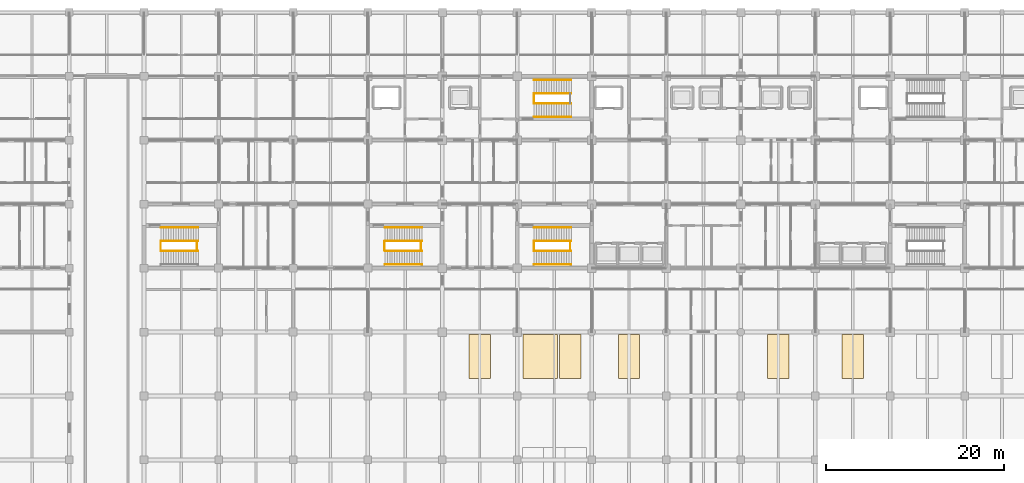
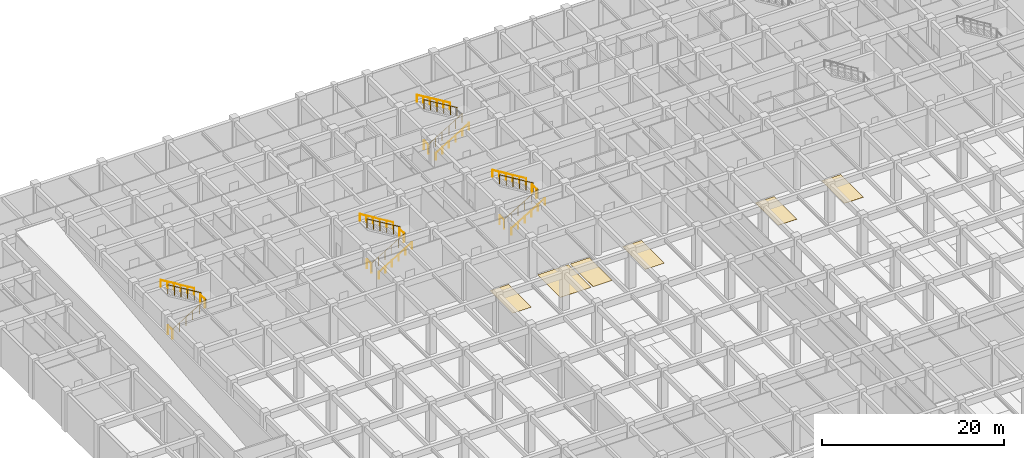
# One storey, part 44 of 48: 22 railings, 6 coverings.
"""IFC4 building model written with IfcOpenShell, lengths in metres."""

from ifc_helpers import new_model, si_unit, direction, frame, origin, origin_2d, place, context, subcontext, project, spatial, polyline, circle, outline, extrude, material, layer, layer_set, type_object, element, save


model = new_model("IFC4")

# Units and contexts
model_context = context("Model", 3, precision=1e-05, world=origin(), true_north=direction((0.0, 1.0)))
body_context = subcontext(model_context, "Body", "Model", "MODEL_VIEW")
ifc_project = project(units=[si_unit("LENGTHUNIT", "METRE"), si_unit("AREAUNIT", "SQUARE_METRE"), si_unit("VOLUMEUNIT", "CUBIC_METRE"), si_unit("PLANEANGLEUNIT", "RADIAN"), si_unit("MASSUNIT", "GRAM", prefix="KILO")], contexts=[model_context])

# Site, building, storey
site_placement = place(None, origin())
site = spatial("IfcSite", under=ifc_project, at=site_placement, CompositionType="ELEMENT")
building_placement = place(site_placement, origin())
building = spatial("IfcBuilding", under=site, at=building_placement, Name="Chengyuan Square Courthouse", CompositionType="ELEMENT")
storey_placement = place(building_placement, frame((0.0, 0.0, -5.39990234375)))
storey = spatial("IfcBuildingStorey", under=building, at=storey_placement, Name="B01", CompositionType="ELEMENT", Elevation=-5.39990234375)

# Coverings
ifc_material_1 = material(Name="Thermoplastic Parking Bay Marking Paint")
ifc_layer_1 = layer(ifc_material_1, 0.010009765625)
ifc_layer_set_1 = layer_set([ifc_layer_1], Name="Thermoplastic Parking Bay Marking Paint")
covering_type_1 = type_object("IfcCoveringType", Name="PKB-01", PredefinedType="FLOORING", material=ifc_layer_set_1)
covering_1_placement = place(storey_placement, origin())
element("IfcCovering", 1, at=covering_1_placement, inside=storey, type_object=covering_type_1, Name="Parking Bay Marking B01-P137", PredefinedType="FLOORING", context=body_context, shape_type="SweptSolid", body=[
    extrude(outline(polyline([(53.39990234375, 73.949951171875), (55.800048828125, 73.949951171875), (55.800048828125, 78.949951171875), (53.39990234375, 78.949951171875), (53.39990234375, 73.949951171875)])), origin(), (0.0, 0.0, 1.0), 0.010009765625),
])
covering_2_placement = place(storey_placement, origin())
element("IfcCovering", 2, at=covering_2_placement, inside=storey, type_object=covering_type_1, Name="Parking Bay Marking B01-P138", PredefinedType="FLOORING", context=body_context, shape_type="SweptSolid", body=[
    extrude(outline(polyline([(63.60009765625, 73.949951171875), (66.0, 73.949951171875), (66.0, 78.949951171875), (63.60009765625, 78.949951171875), (63.60009765625, 73.949951171875)])), origin(), (0.0, 0.0, 1.0), 0.010009765625),
])
covering_3_placement = place(storey_placement, origin())
element("IfcCovering", 3, at=covering_3_placement, inside=storey, type_object=covering_type_1, Name="Parking Bay Marking B01-P139", PredefinedType="FLOORING", context=body_context, shape_type="SweptSolid", body=[
    extrude(outline(polyline([(70.199951171875, 73.949951171875), (72.60009765625, 73.949951171875), (72.60009765625, 78.949951171875), (70.199951171875, 78.949951171875), (70.199951171875, 73.949951171875)])), origin(), (0.0, 0.0, 1.0), 0.010009765625),
])
covering_4_placement = place(storey_placement, origin())
element("IfcCovering", 4, at=covering_4_placement, inside=storey, type_object=covering_type_1, Name="Parking Bay Marking B01-P158", PredefinedType="FLOORING", context=body_context, shape_type="SweptSolid", body=[
    extrude(outline(polyline([(87.0, 73.949951171875), (89.39990234375, 73.949951171875), (89.39990234375, 78.949951171875), (87.0, 78.949951171875), (87.0, 73.949951171875)])), origin(), (0.0, 0.0, 1.0), 0.010009765625),
])
covering_5_placement = place(storey_placement, origin())
element("IfcCovering", 5, at=covering_5_placement, inside=storey, type_object=covering_type_1, Name="Parking Bay Marking B01-P159", PredefinedType="FLOORING", context=body_context, shape_type="SweptSolid", body=[
    extrude(outline(polyline([(95.39990234375, 73.949951171875), (97.800048828125, 73.949951171875), (97.800048828125, 78.949951171875), (95.39990234375, 78.949951171875), (95.39990234375, 73.949951171875)])), origin(), (0.0, 0.0, 1.0), 0.010009765625),
])
ifc_material_2 = material(Name="Thermoplastic Accessible Parking Bay Marking Paint")
ifc_layer_2 = layer(ifc_material_2, 0.010009765625)
ifc_layer_set_2 = layer_set([ifc_layer_2], Name="Thermoplastic Accessible Parking Bay Marking Paint")
covering_type_2 = type_object("IfcCoveringType", Name="PKB-02", PredefinedType="FLOORING", material=ifc_layer_set_2)
covering_6_placement = place(storey_placement, origin())
element("IfcCovering", 6, at=covering_6_placement, inside=storey, type_object=covering_type_2, Name="Accessible Parking Bay Marking B01-AP08", PredefinedType="FLOORING", context=body_context, shape_type="SweptSolid", body=[
    extrude(outline(polyline([(59.449951171875, 73.949951171875), (63.35009765625, 73.949951171875), (63.35009765625, 78.949951171875), (59.449951171875, 78.949951171875), (59.449951171875, 73.949951171875)])), origin(), (0.0, 0.0, 1.0), 0.010009765625),
])

# Railings
ifc_material_3 = material(Name="Tempered Glass and Timber Top-Rail Balustrade", Category="wood")
railing_type_1 = type_object("IfcRailingType", Name="RL-02", PredefinedType="BALUSTRADE", material=ifc_material_3)
railing_1_placement = place(storey_placement, frame((60.68994140625, 105.0, 0.0)))
element("IfcRailing", 7, at=railing_1_placement, inside=storey, type_object=railing_type_1, Name="Stair Floor Slot Guard ST-1 B01", PredefinedType="BALUSTRADE", context=body_context, shape_type="SweptSolid", body=[
    extrude(circle(Radius=0.02392578125, at=origin_2d()), frame((0.0, 0.0, 1.17578125), z_axis=(0.0, 1.0, 0.0), x_axis=(-1.0, 0.0, 0.0)), (0.0, 0.0, 1.0), 1.0),
    extrude(circle(Radius=0.02099609375, at=origin_2d()), origin(), (0.0, 0.0, 1.0), 1.15185546875),
    extrude(circle(Radius=0.02099609375, at=origin_2d()), frame((0.0, 1.0, 0.0)), (0.0, 0.0, 1.0), 1.15185546875),
])
railing_2_placement = place(storey_placement, frame((60.7099609375, 104.949951171875, 0.168701171875)))
element("IfcRailing", 8, at=railing_2_placement, inside=storey, type_object=railing_type_1, Name="Stair Flight 1 Guard ST-1-B01", PredefinedType="BALUSTRADE", context=body_context, shape_type="SweptSolid", body=[
    extrude(circle(Radius=0.02392578125, at=origin_2d()), frame((0.0, 0.0, 1.17578125), z_axis=(0.856476492594, 0.0, 0.516186030065), x_axis=(0.0, 1.0, 0.0)), (0.0, 0.0, 1.0), 4.90380859375),
    extrude(circle(Radius=0.02099609375, at=origin_2d()), origin(), (0.0, 0.0, 1.0), 1.15185546875),
    extrude(circle(Radius=0.02099609375, at=origin_2d()), frame((0.840087890625, 0.0, 0.50634765625)), (0.0, 0.0, 1.0), 1.15185546875),
    extrude(circle(Radius=0.02099609375, at=origin_2d()), frame((1.679931640625, 0.0, 1.012451171875)), (0.0, 0.0, 1.0), 1.15185546875),
    extrude(circle(Radius=0.02099609375, at=origin_2d()), frame((2.52001953125, 0.0, 1.518798828125)), (0.0, 0.0, 1.0), 1.15185546875),
    extrude(circle(Radius=0.02099609375, at=origin_2d()), frame((3.35986328125, 0.0, 2.02490234375)), (0.0, 0.0, 1.0), 1.15185546875),
    extrude(circle(Radius=0.02099609375, at=origin_2d()), frame((4.199951171875, 0.0, 2.53125)), (0.0, 0.0, 1.0), 1.15185546875),
])
railing_3_placement = place(storey_placement, frame((64.909912109375, 106.050048828125, 2.86865234375)))
element("IfcRailing", 9, at=railing_3_placement, inside=storey, type_object=railing_type_1, Name="Stair Flight 2 Guard ST-1-B01", PredefinedType="BALUSTRADE", context=body_context, shape_type="SweptSolid", body=[
    extrude(circle(Radius=0.02392578125, at=origin_2d()), frame((0.0, 0.0, 1.17578125), z_axis=(-0.856476492594, 0.0, 0.516186030065), x_axis=(0.0, -1.0, 0.0)), (0.0, 0.0, 1.0), 4.90380859375),
    extrude(circle(Radius=0.02099609375, at=origin_2d()), origin(), (0.0, 0.0, 1.0), 1.15185546875),
    extrude(circle(Radius=0.02099609375, at=origin_2d()), frame((-0.840087890625, 0.0, 0.50634765625)), (0.0, 0.0, 1.0), 1.15185546875),
    extrude(circle(Radius=0.02099609375, at=origin_2d()), frame((-1.679931640625, 0.0, 1.012451171875)), (0.0, 0.0, 1.0), 1.15185546875),
    extrude(circle(Radius=0.02099609375, at=origin_2d()), frame((-2.52001953125, 0.0, 1.518798828125)), (0.0, 0.0, 1.0), 1.15185546875),
    extrude(circle(Radius=0.02099609375, at=origin_2d()), frame((-3.35986328125, 0.0, 2.02490234375)), (0.0, 0.0, 1.0), 1.15185546875),
    extrude(circle(Radius=0.02099609375, at=origin_2d()), frame((-4.199951171875, 0.0, 2.53125)), (0.0, 0.0, 1.0), 1.15185546875),
])
for number, where, name in (
    (10, (60.68994140625, 88.39990234375, 0.0), "Stair Floor Slot Guard ST-3 B01"),
    (11, (64.7900390625, 88.39990234375, 2.699951171875), "Stair Landing Guard ST-3-B01"),
):
    element("IfcRailing", number, at=place(storey_placement, frame(where)), inside=storey, type_object=railing_type_1, Name=name, PredefinedType="BALUSTRADE", context=body_context, shape_type="SweptSolid", body=[
        extrude(circle(Radius=0.02392578125, at=origin_2d()), frame((0.0, 0.0, 1.17578125), z_axis=(0.0, 1.0, 0.0), x_axis=(-1.0, 0.0, 0.0)), (0.0, 0.0, 1.0), 1.0),
        extrude(circle(Radius=0.02099609375, at=origin_2d()), origin(), (0.0, 0.0, 1.0), 1.15185546875),
        extrude(circle(Radius=0.02099609375, at=origin_2d()), frame((0.0, 1.0, 0.0)), (0.0, 0.0, 1.0), 1.15185546875),
    ])
railing_4_placement = place(storey_placement, frame((60.7099609375, 88.35009765625, 0.168701171875)))
element("IfcRailing", 12, at=railing_4_placement, inside=storey, type_object=railing_type_1, Name="Stair Flight 1 Guard ST-3-B01", PredefinedType="BALUSTRADE", context=body_context, shape_type="SweptSolid", body=[
    extrude(circle(Radius=0.02392578125, at=origin_2d()), frame((0.0, 0.0, 1.17578125), z_axis=(0.856476492594, 0.0, 0.516186030065), x_axis=(0.0, 1.0, 0.0)), (0.0, 0.0, 1.0), 4.90380859375),
    extrude(circle(Radius=0.02099609375, at=origin_2d()), origin(), (0.0, 0.0, 1.0), 1.15185546875),
    extrude(circle(Radius=0.02099609375, at=origin_2d()), frame((0.840087890625, 0.0, 0.50634765625)), (0.0, 0.0, 1.0), 1.15185546875),
    extrude(circle(Radius=0.02099609375, at=origin_2d()), frame((1.679931640625, 0.0, 1.012451171875)), (0.0, 0.0, 1.0), 1.15185546875),
    extrude(circle(Radius=0.02099609375, at=origin_2d()), frame((2.52001953125, 0.0, 1.518798828125)), (0.0, 0.0, 1.0), 1.15185546875),
    extrude(circle(Radius=0.02099609375, at=origin_2d()), frame((3.35986328125, 0.0, 2.02490234375)), (0.0, 0.0, 1.0), 1.15185546875),
    extrude(circle(Radius=0.02099609375, at=origin_2d()), frame((4.199951171875, 0.0, 2.53125)), (0.0, 0.0, 1.0), 1.15185546875),
])
railing_5_placement = place(storey_placement, frame((64.909912109375, 89.449951171875, 2.86865234375)))
element("IfcRailing", 13, at=railing_5_placement, inside=storey, type_object=railing_type_1, Name="Stair Flight 2 Guard ST-3-B01", PredefinedType="BALUSTRADE", context=body_context, shape_type="SweptSolid", body=[
    extrude(circle(Radius=0.02392578125, at=origin_2d()), frame((0.0, 0.0, 1.17578125), z_axis=(-0.856476492594, 0.0, 0.516186030065), x_axis=(0.0, -1.0, 0.0)), (0.0, 0.0, 1.0), 4.90380859375),
    extrude(circle(Radius=0.02099609375, at=origin_2d()), origin(), (0.0, 0.0, 1.0), 1.15185546875),
    extrude(circle(Radius=0.02099609375, at=origin_2d()), frame((-0.840087890625, 0.0, 0.50634765625)), (0.0, 0.0, 1.0), 1.15185546875),
    extrude(circle(Radius=0.02099609375, at=origin_2d()), frame((-1.679931640625, 0.0, 1.012451171875)), (0.0, 0.0, 1.0), 1.15185546875),
    extrude(circle(Radius=0.02099609375, at=origin_2d()), frame((-2.52001953125, 0.0, 1.518798828125)), (0.0, 0.0, 1.0), 1.15185546875),
    extrude(circle(Radius=0.02099609375, at=origin_2d()), frame((-3.35986328125, 0.0, 2.02490234375)), (0.0, 0.0, 1.0), 1.15185546875),
    extrude(circle(Radius=0.02099609375, at=origin_2d()), frame((-4.199951171875, 0.0, 2.53125)), (0.0, 0.0, 1.0), 1.15185546875),
])
for number, where, name in (
    (14, (43.889892578125, 88.39990234375, 0.0), "Stair Floor Slot Guard ST-5 B01"),
    (15, (47.989990234375, 88.39990234375, 2.699951171875), "Stair Landing Guard ST-5-B01"),
):
    element("IfcRailing", number, at=place(storey_placement, frame(where)), inside=storey, type_object=railing_type_1, Name=name, PredefinedType="BALUSTRADE", context=body_context, shape_type="SweptSolid", body=[
        extrude(circle(Radius=0.02392578125, at=origin_2d()), frame((0.0, 0.0, 1.17578125), z_axis=(0.0, 1.0, 0.0), x_axis=(-1.0, 0.0, 0.0)), (0.0, 0.0, 1.0), 1.0),
        extrude(circle(Radius=0.02099609375, at=origin_2d()), origin(), (0.0, 0.0, 1.0), 1.15185546875),
        extrude(circle(Radius=0.02099609375, at=origin_2d()), frame((0.0, 1.0, 0.0)), (0.0, 0.0, 1.0), 1.15185546875),
    ])
railing_6_placement = place(storey_placement, frame((43.909912109375, 88.35009765625, 0.168701171875)))
element("IfcRailing", 16, at=railing_6_placement, inside=storey, type_object=railing_type_1, Name="Stair Flight 1 Guard ST-5-B01", PredefinedType="BALUSTRADE", context=body_context, shape_type="SweptSolid", body=[
    extrude(circle(Radius=0.02392578125, at=origin_2d()), frame((0.0, 0.0, 1.17578125), z_axis=(0.856489757249, 0.0, 0.516164020179), x_axis=(0.0, 1.0, 0.0)), (0.0, 0.0, 1.0), 4.904052734375),
    extrude(circle(Radius=0.02099609375, at=origin_2d()), origin(), (0.0, 0.0, 1.0), 1.15185546875),
    extrude(circle(Radius=0.02099609375, at=origin_2d()), frame((0.840087890625, 0.0, 0.50634765625)), (0.0, 0.0, 1.0), 1.15185546875),
    extrude(circle(Radius=0.02099609375, at=origin_2d()), frame((1.68017578125, 0.0, 1.012451171875)), (0.0, 0.0, 1.0), 1.15185546875),
    extrude(circle(Radius=0.02099609375, at=origin_2d()), frame((2.52001953125, 0.0, 1.518798828125)), (0.0, 0.0, 1.0), 1.15185546875),
    extrude(circle(Radius=0.02099609375, at=origin_2d()), frame((3.360107421875, 0.0, 2.02490234375)), (0.0, 0.0, 1.0), 1.15185546875),
    extrude(circle(Radius=0.02099609375, at=origin_2d()), frame((4.2001953125, 0.0, 2.53125)), (0.0, 0.0, 1.0), 1.15185546875),
])
railing_7_placement = place(storey_placement, frame((48.110107421875, 89.449951171875, 2.86865234375)))
element("IfcRailing", 17, at=railing_7_placement, inside=storey, type_object=railing_type_1, Name="Stair Flight 2 Guard ST-5-B01", PredefinedType="BALUSTRADE", context=body_context, shape_type="SweptSolid", body=[
    extrude(circle(Radius=0.02392578125, at=origin_2d()), frame((0.0, 0.0, 1.17578125), z_axis=(-0.856489757249, 0.0, 0.516164020179), x_axis=(0.0, -1.0, 0.0)), (0.0, 0.0, 1.0), 4.904052734375),
    extrude(circle(Radius=0.02099609375, at=origin_2d()), origin(), (0.0, 0.0, 1.0), 1.15185546875),
    extrude(circle(Radius=0.02099609375, at=origin_2d()), frame((-0.840087890625, 0.0, 0.50634765625)), (0.0, 0.0, 1.0), 1.15185546875),
    extrude(circle(Radius=0.02099609375, at=origin_2d()), frame((-1.68017578125, 0.0, 1.012451171875)), (0.0, 0.0, 1.0), 1.15185546875),
    extrude(circle(Radius=0.02099609375, at=origin_2d()), frame((-2.52001953125, 0.0, 1.518798828125)), (0.0, 0.0, 1.0), 1.15185546875),
    extrude(circle(Radius=0.02099609375, at=origin_2d()), frame((-3.360107421875, 0.0, 2.02490234375)), (0.0, 0.0, 1.0), 1.15185546875),
    extrude(circle(Radius=0.02099609375, at=origin_2d()), frame((-4.2001953125, 0.0, 2.53125)), (0.0, 0.0, 1.0), 1.15185546875),
])
for number, where, name in (
    (18, (18.68994140625, 88.39990234375, 0.0), "Stair Floor Slot Guard ST-9 B01"),
    (19, (22.7900390625, 88.39990234375, 2.699951171875), "Stair Landing Guard ST-9-B01"),
):
    element("IfcRailing", number, at=place(storey_placement, frame(where)), inside=storey, type_object=railing_type_1, Name=name, PredefinedType="BALUSTRADE", context=body_context, shape_type="SweptSolid", body=[
        extrude(circle(Radius=0.02392578125, at=origin_2d()), frame((0.0, 0.0, 1.17578125), z_axis=(0.0, 1.0, 0.0), x_axis=(-1.0, 0.0, 0.0)), (0.0, 0.0, 1.0), 1.0),
        extrude(circle(Radius=0.02099609375, at=origin_2d()), origin(), (0.0, 0.0, 1.0), 1.15185546875),
        extrude(circle(Radius=0.02099609375, at=origin_2d()), frame((0.0, 1.0, 0.0)), (0.0, 0.0, 1.0), 1.15185546875),
    ])
railing_8_placement = place(storey_placement, frame((18.7099609375, 88.35009765625, 0.168701171875)))
element("IfcRailing", 20, at=railing_8_placement, inside=storey, type_object=railing_type_1, Name="Stair Flight 1 Guard ST-9-B01", PredefinedType="BALUSTRADE", context=body_context, shape_type="SweptSolid", body=[
    extrude(circle(Radius=0.02392578125, at=origin_2d()), frame((0.0, 0.0, 1.17578125), z_axis=(0.856476492594, 0.0, 0.516186030065), x_axis=(0.0, 1.0, 0.0)), (0.0, 0.0, 1.0), 4.90380859375),
    extrude(circle(Radius=0.02099609375, at=origin_2d()), origin(), (0.0, 0.0, 1.0), 1.15185546875),
    extrude(circle(Radius=0.02099609375, at=origin_2d()), frame((0.840087890625, 0.0, 0.50634765625)), (0.0, 0.0, 1.0), 1.15185546875),
    extrude(circle(Radius=0.02099609375, at=origin_2d()), frame((1.679931640625, 0.0, 1.012451171875)), (0.0, 0.0, 1.0), 1.15185546875),
    extrude(circle(Radius=0.02099609375, at=origin_2d()), frame((2.52001953125, 0.0, 1.518798828125)), (0.0, 0.0, 1.0), 1.15185546875),
    extrude(circle(Radius=0.02099609375, at=origin_2d()), frame((3.35986328125, 0.0, 2.02490234375)), (0.0, 0.0, 1.0), 1.15185546875),
    extrude(circle(Radius=0.02099609375, at=origin_2d()), frame((4.199951171875, 0.0, 2.53125)), (0.0, 0.0, 1.0), 1.15185546875),
])
railing_9_placement = place(storey_placement, frame((22.909912109375, 89.449951171875, 2.86865234375)))
element("IfcRailing", 21, at=railing_9_placement, inside=storey, type_object=railing_type_1, Name="Stair Flight 2 Guard ST-9-B01", PredefinedType="BALUSTRADE", context=body_context, shape_type="SweptSolid", body=[
    extrude(circle(Radius=0.02392578125, at=origin_2d()), frame((0.0, 0.0, 1.17578125), z_axis=(-0.856476492594, 0.0, 0.516186030065), x_axis=(0.0, -1.0, 0.0)), (0.0, 0.0, 1.0), 4.90380859375),
    extrude(circle(Radius=0.02099609375, at=origin_2d()), origin(), (0.0, 0.0, 1.0), 1.15185546875),
    extrude(circle(Radius=0.02099609375, at=origin_2d()), frame((-0.840087890625, 0.0, 0.50634765625)), (0.0, 0.0, 1.0), 1.15185546875),
    extrude(circle(Radius=0.02099609375, at=origin_2d()), frame((-1.679931640625, 0.0, 1.012451171875)), (0.0, 0.0, 1.0), 1.15185546875),
    extrude(circle(Radius=0.02099609375, at=origin_2d()), frame((-2.52001953125, 0.0, 1.518798828125)), (0.0, 0.0, 1.0), 1.15185546875),
    extrude(circle(Radius=0.02099609375, at=origin_2d()), frame((-3.35986328125, 0.0, 2.02490234375)), (0.0, 0.0, 1.0), 1.15185546875),
    extrude(circle(Radius=0.02099609375, at=origin_2d()), frame((-4.199951171875, 0.0, 2.53125)), (0.0, 0.0, 1.0), 1.15185546875),
])
ifc_material_4 = material(Name="Stainless Steel S30408 Stair Handrail", Category="steel")
railing_type_2 = type_object("IfcRailingType", Name="RL-04", PredefinedType="HANDRAIL", material=ifc_material_4)
railing_10_placement = place(storey_placement, frame((60.7099609375, 103.419921875, 0.168701171875)))
element("IfcRailing", 22, at=railing_10_placement, inside=storey, type_object=railing_type_2, Name="Stair Flight 1 Handrail ST-1-B01", PredefinedType="HANDRAIL", context=body_context, shape_type="SweptSolid", body=[
    extrude(circle(Radius=0.02392578125, at=origin_2d()), frame((0.0, 0.0, 0.8759765625), z_axis=(0.856476492594, 0.0, 0.516186030065), x_axis=(0.0, 1.0, 0.0)), (0.0, 0.0, 1.0), 4.90380859375),
    extrude(circle(Radius=0.02099609375, at=origin_2d()), origin(), (0.0, 0.0, 1.0), 0.851806640625),
    extrude(circle(Radius=0.02099609375, at=origin_2d()), frame((0.840087890625, 0.0, 0.50634765625)), (0.0, 0.0, 1.0), 0.851806640625),
    extrude(circle(Radius=0.02099609375, at=origin_2d()), frame((1.679931640625, 0.0, 1.012451171875)), (0.0, 0.0, 1.0), 0.851806640625),
    extrude(circle(Radius=0.02099609375, at=origin_2d()), frame((2.52001953125, 0.0, 1.518798828125)), (0.0, 0.0, 1.0), 0.851806640625),
    extrude(circle(Radius=0.02099609375, at=origin_2d()), frame((3.35986328125, 0.0, 2.02490234375)), (0.0, 0.0, 1.0), 0.851806640625),
    extrude(circle(Radius=0.02099609375, at=origin_2d()), frame((4.199951171875, 0.0, 2.53125)), (0.0, 0.0, 1.0), 0.851806640625),
])
railing_11_placement = place(storey_placement, frame((64.909912109375, 107.580078125, 2.86865234375)))
element("IfcRailing", 23, at=railing_11_placement, inside=storey, type_object=railing_type_2, Name="Stair Flight 2 Handrail ST-1-B01", PredefinedType="HANDRAIL", context=body_context, shape_type="SweptSolid", body=[
    extrude(circle(Radius=0.02392578125, at=origin_2d()), frame((0.0, 0.0, 0.8759765625), z_axis=(-0.856476492594, 0.0, 0.516186030065), x_axis=(0.0, -1.0, 0.0)), (0.0, 0.0, 1.0), 4.90380859375),
    extrude(circle(Radius=0.02099609375, at=origin_2d()), origin(), (0.0, 0.0, 1.0), 0.851806640625),
    extrude(circle(Radius=0.02099609375, at=origin_2d()), frame((-0.840087890625, 0.0, 0.50634765625)), (0.0, 0.0, 1.0), 0.851806640625),
    extrude(circle(Radius=0.02099609375, at=origin_2d()), frame((-1.679931640625, 0.0, 1.012451171875)), (0.0, 0.0, 1.0), 0.851806640625),
    extrude(circle(Radius=0.02099609375, at=origin_2d()), frame((-2.52001953125, 0.0, 1.518798828125)), (0.0, 0.0, 1.0), 0.851806640625),
    extrude(circle(Radius=0.02099609375, at=origin_2d()), frame((-3.35986328125, 0.0, 2.02490234375)), (0.0, 0.0, 1.0), 0.851806640625),
    extrude(circle(Radius=0.02099609375, at=origin_2d()), frame((-4.199951171875, 0.0, 2.53125)), (0.0, 0.0, 1.0), 0.851806640625),
])
railing_12_placement = place(storey_placement, frame((60.7099609375, 86.820068359375, 0.168701171875)))
element("IfcRailing", 24, at=railing_12_placement, inside=storey, type_object=railing_type_2, Name="Stair Flight 1 Handrail ST-3-B01", PredefinedType="HANDRAIL", context=body_context, shape_type="SweptSolid", body=[
    extrude(circle(Radius=0.02392578125, at=origin_2d()), frame((0.0, 0.0, 0.8759765625), z_axis=(0.856476492594, 0.0, 0.516186030065), x_axis=(0.0, 1.0, 0.0)), (0.0, 0.0, 1.0), 4.90380859375),
    extrude(circle(Radius=0.02099609375, at=origin_2d()), origin(), (0.0, 0.0, 1.0), 0.851806640625),
    extrude(circle(Radius=0.02099609375, at=origin_2d()), frame((0.840087890625, 0.0, 0.50634765625)), (0.0, 0.0, 1.0), 0.851806640625),
    extrude(circle(Radius=0.02099609375, at=origin_2d()), frame((1.679931640625, 0.0, 1.012451171875)), (0.0, 0.0, 1.0), 0.851806640625),
    extrude(circle(Radius=0.02099609375, at=origin_2d()), frame((2.52001953125, 0.0, 1.518798828125)), (0.0, 0.0, 1.0), 0.851806640625),
    extrude(circle(Radius=0.02099609375, at=origin_2d()), frame((3.35986328125, 0.0, 2.02490234375)), (0.0, 0.0, 1.0), 0.851806640625),
    extrude(circle(Radius=0.02099609375, at=origin_2d()), frame((4.199951171875, 0.0, 2.53125)), (0.0, 0.0, 1.0), 0.851806640625),
])
railing_13_placement = place(storey_placement, frame((64.909912109375, 90.97998046875, 2.86865234375)))
element("IfcRailing", 25, at=railing_13_placement, inside=storey, type_object=railing_type_2, Name="Stair Flight 2 Handrail ST-3-B01", PredefinedType="HANDRAIL", context=body_context, shape_type="SweptSolid", body=[
    extrude(circle(Radius=0.02392578125, at=origin_2d()), frame((0.0, 0.0, 0.8759765625), z_axis=(-0.856476492594, 0.0, 0.516186030065), x_axis=(0.0, -1.0, 0.0)), (0.0, 0.0, 1.0), 4.90380859375),
    extrude(circle(Radius=0.02099609375, at=origin_2d()), origin(), (0.0, 0.0, 1.0), 0.851806640625),
    extrude(circle(Radius=0.02099609375, at=origin_2d()), frame((-0.840087890625, 0.0, 0.50634765625)), (0.0, 0.0, 1.0), 0.851806640625),
    extrude(circle(Radius=0.02099609375, at=origin_2d()), frame((-1.679931640625, 0.0, 1.012451171875)), (0.0, 0.0, 1.0), 0.851806640625),
    extrude(circle(Radius=0.02099609375, at=origin_2d()), frame((-2.52001953125, 0.0, 1.518798828125)), (0.0, 0.0, 1.0), 0.851806640625),
    extrude(circle(Radius=0.02099609375, at=origin_2d()), frame((-3.35986328125, 0.0, 2.02490234375)), (0.0, 0.0, 1.0), 0.851806640625),
    extrude(circle(Radius=0.02099609375, at=origin_2d()), frame((-4.199951171875, 0.0, 2.53125)), (0.0, 0.0, 1.0), 0.851806640625),
])
railing_14_placement = place(storey_placement, frame((43.909912109375, 86.820068359375, 0.168701171875)))
element("IfcRailing", 26, at=railing_14_placement, inside=storey, type_object=railing_type_2, Name="Stair Flight 1 Handrail ST-5-B01", PredefinedType="HANDRAIL", context=body_context, shape_type="SweptSolid", body=[
    extrude(circle(Radius=0.02392578125, at=origin_2d()), frame((0.0, 0.0, 0.8759765625), z_axis=(0.856489757249, 0.0, 0.516164020179), x_axis=(0.0, 1.0, 0.0)), (0.0, 0.0, 1.0), 4.904052734375),
    extrude(circle(Radius=0.02099609375, at=origin_2d()), origin(), (0.0, 0.0, 1.0), 0.851806640625),
    extrude(circle(Radius=0.02099609375, at=origin_2d()), frame((0.840087890625, 0.0, 0.50634765625)), (0.0, 0.0, 1.0), 0.851806640625),
    extrude(circle(Radius=0.02099609375, at=origin_2d()), frame((1.68017578125, 0.0, 1.012451171875)), (0.0, 0.0, 1.0), 0.851806640625),
    extrude(circle(Radius=0.02099609375, at=origin_2d()), frame((2.52001953125, 0.0, 1.518798828125)), (0.0, 0.0, 1.0), 0.851806640625),
    extrude(circle(Radius=0.02099609375, at=origin_2d()), frame((3.360107421875, 0.0, 2.02490234375)), (0.0, 0.0, 1.0), 0.851806640625),
    extrude(circle(Radius=0.02099609375, at=origin_2d()), frame((4.2001953125, 0.0, 2.53125)), (0.0, 0.0, 1.0), 0.851806640625),
])
railing_15_placement = place(storey_placement, frame((48.110107421875, 90.97998046875, 2.86865234375)))
element("IfcRailing", 27, at=railing_15_placement, inside=storey, type_object=railing_type_2, Name="Stair Flight 2 Handrail ST-5-B01", PredefinedType="HANDRAIL", context=body_context, shape_type="SweptSolid", body=[
    extrude(circle(Radius=0.02392578125, at=origin_2d()), frame((0.0, 0.0, 0.8759765625), z_axis=(-0.856489757249, 0.0, 0.516164020179), x_axis=(0.0, -1.0, 0.0)), (0.0, 0.0, 1.0), 4.904052734375),
    extrude(circle(Radius=0.02099609375, at=origin_2d()), origin(), (0.0, 0.0, 1.0), 0.851806640625),
    extrude(circle(Radius=0.02099609375, at=origin_2d()), frame((-0.840087890625, 0.0, 0.50634765625)), (0.0, 0.0, 1.0), 0.851806640625),
    extrude(circle(Radius=0.02099609375, at=origin_2d()), frame((-1.68017578125, 0.0, 1.012451171875)), (0.0, 0.0, 1.0), 0.851806640625),
    extrude(circle(Radius=0.02099609375, at=origin_2d()), frame((-2.52001953125, 0.0, 1.518798828125)), (0.0, 0.0, 1.0), 0.851806640625),
    extrude(circle(Radius=0.02099609375, at=origin_2d()), frame((-3.360107421875, 0.0, 2.02490234375)), (0.0, 0.0, 1.0), 0.851806640625),
    extrude(circle(Radius=0.02099609375, at=origin_2d()), frame((-4.2001953125, 0.0, 2.53125)), (0.0, 0.0, 1.0), 0.851806640625),
])
railing_16_placement = place(storey_placement, frame((22.909912109375, 90.97998046875, 2.86865234375)))
element("IfcRailing", 28, at=railing_16_placement, inside=storey, type_object=railing_type_2, Name="Stair Flight 2 Handrail ST-9-B01", PredefinedType="HANDRAIL", context=body_context, shape_type="SweptSolid", body=[
    extrude(circle(Radius=0.02392578125, at=origin_2d()), frame((0.0, 0.0, 0.8759765625), z_axis=(-0.856476492594, 0.0, 0.516186030065), x_axis=(0.0, -1.0, 0.0)), (0.0, 0.0, 1.0), 4.90380859375),
    extrude(circle(Radius=0.02099609375, at=origin_2d()), origin(), (0.0, 0.0, 1.0), 0.851806640625),
    extrude(circle(Radius=0.02099609375, at=origin_2d()), frame((-0.840087890625, 0.0, 0.50634765625)), (0.0, 0.0, 1.0), 0.851806640625),
    extrude(circle(Radius=0.02099609375, at=origin_2d()), frame((-1.679931640625, 0.0, 1.012451171875)), (0.0, 0.0, 1.0), 0.851806640625),
    extrude(circle(Radius=0.02099609375, at=origin_2d()), frame((-2.52001953125, 0.0, 1.518798828125)), (0.0, 0.0, 1.0), 0.851806640625),
    extrude(circle(Radius=0.02099609375, at=origin_2d()), frame((-3.35986328125, 0.0, 2.02490234375)), (0.0, 0.0, 1.0), 0.851806640625),
    extrude(circle(Radius=0.02099609375, at=origin_2d()), frame((-4.199951171875, 0.0, 2.53125)), (0.0, 0.0, 1.0), 0.851806640625),
])

save(model, "model.ifc")
